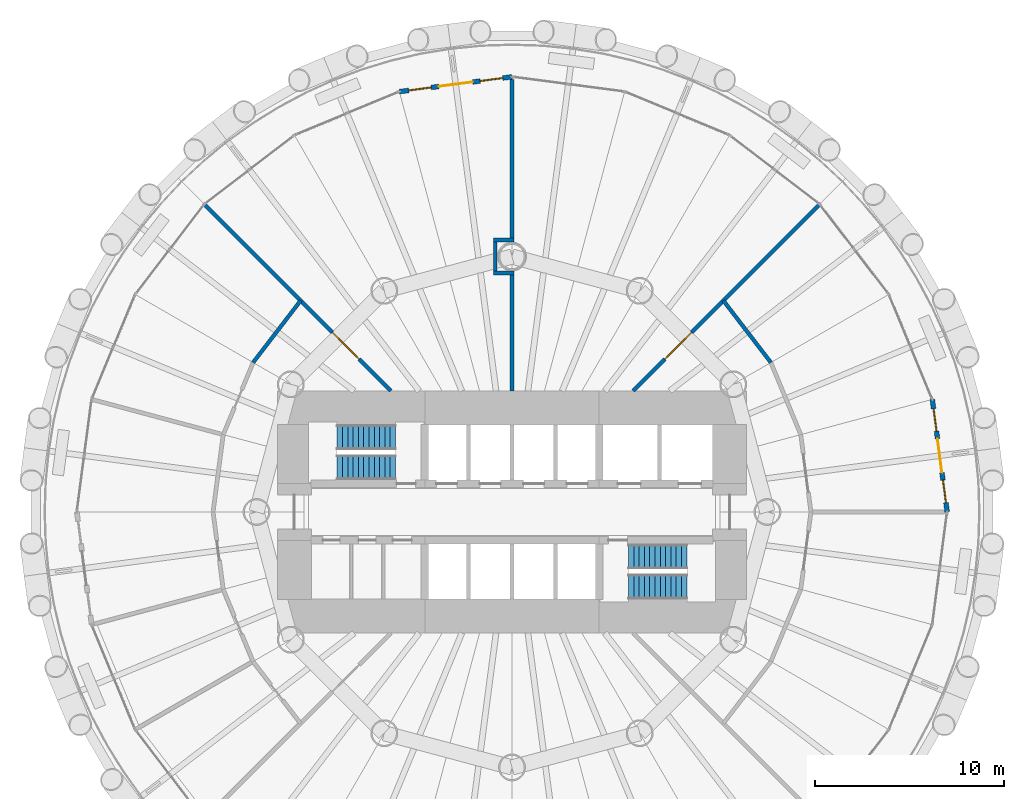
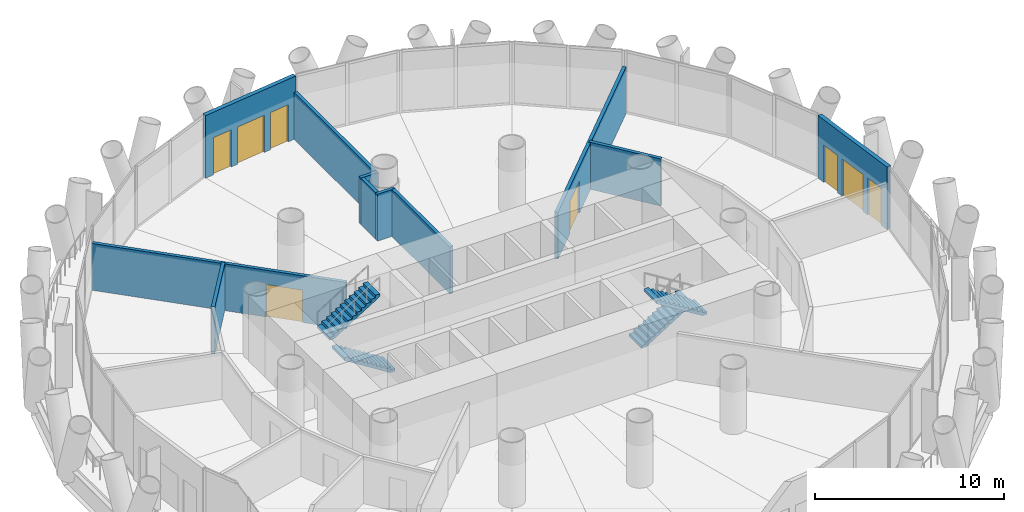
# One storey, part 10 of 14: 11 walls, 4 doors, 4 stair flights, 4 windows, 8 openings, 2 elements without a shape of their own.
"""IFC4 building model written with IfcOpenShell, lengths in metres."""

from ifc_helpers import new_model, si_unit, direction, frame, frame_2d, origin, place, context, subcontext, project, spatial, polyline, rectangle, outline, extrude, material, layer, layer_set, type_object, element, fill, aggregate, save


model = new_model("IFC4")

# Units and contexts
model_context = context("Model", 3, precision=1e-05, world=origin(), true_north=direction((0.0, 1.0)))
body_context = subcontext(model_context, "Body", "Model", "MODEL_VIEW")
ifc_project = project(units=[si_unit("LENGTHUNIT", "METRE"), si_unit("AREAUNIT", "SQUARE_METRE"), si_unit("VOLUMEUNIT", "CUBIC_METRE"), si_unit("PLANEANGLEUNIT", "RADIAN"), si_unit("MASSUNIT", "GRAM", prefix="KILO")], contexts=[model_context])

# Site, building, storey
site_placement = place(None, origin())
site = spatial("IfcSite", under=ifc_project, at=site_placement, CompositionType="ELEMENT")
building_placement = place(site_placement, origin())
building = spatial("IfcBuilding", under=site, at=building_placement, Name="Qaws Media Tower", CompositionType="ELEMENT")
storey_placement = place(building_placement, frame((0.0, 0.0, 68.0)))
storey = spatial("IfcBuildingStorey", under=building, at=storey_placement, Name="L14", CompositionType="ELEMENT", Elevation=68.0)

# Wall, openings, door, windows
ifc_material_1 = material(Name="Precast concrete, exposed finish", Category="concrete")
ifc_layer_1 = layer(ifc_material_1, 0.25)
ifc_layer_set_1 = layer_set([ifc_layer_1], Name="Balcony door wall 250")
wall_type_1 = type_object("IfcWallType", Name="Balcony door wall 250", PredefinedType="SOLIDWALL", material=ifc_layer_set_1)
wall_1_placement = place(storey_placement, frame((83.0, 50.0, 0.0), z_axis=(0.0, 0.0, 1.0), x_axis=(-0.130522880875, 0.991445297315, 0.0)))
wall_1 = element("IfcWall", 1, at=wall_1_placement, inside=storey, type_object=wall_type_1, Name="W148 EW1 balcony door wall L14-01", PredefinedType="SOLIDWALL", context=body_context, shape_type="SweptSolid", body=[
    extrude(rectangle(XDim=6.004150390625, YDim=0.25, at=frame_2d((3.001953125, 0.0))), origin(), (0.0, 0.0, 1.0), 4.0400390625),
])
opening_1_placement = place(wall_1_placement, frame((2.10205078125, 0.0, 0.0)))
opening_1 = element("IfcOpeningElement", 2, at=opening_1_placement, cuts=wall_1, Name="Opening D7", PredefinedType="OPENING", context=body_context, shape_type="SweptSolid", body=[
    extrude(rectangle(XDim=1.800048828125, YDim=2.39990234375, at=frame_2d((0.89990234375, 1.199951171875))), frame((0.0, 0.135009765625, 0.0), z_axis=(0.0, -1.0, 0.0), x_axis=(1.0, 0.0, 0.0)), (0.0, 0.0, 1.0), 0.27001953125),
])
opening_2_placement = place(wall_1_placement, frame((0.502197265625, 0.0, 0.0)))
opening_2 = element("IfcOpeningElement", 3, at=opening_2_placement, cuts=wall_1, Name="Opening W1", PredefinedType="OPENING", context=body_context, shape_type="SweptSolid", body=[
    extrude(rectangle(XDim=1.199951171875, YDim=2.39990234375, at=frame_2d((0.60009765625, 1.199951171875))), frame((0.0, 0.135009765625, 0.0), z_axis=(0.0, -1.0, 0.0), x_axis=(1.0, 0.0, 0.0)), (0.0, 0.0, 1.0), 0.27001953125),
])
opening_3_placement = place(wall_1_placement, frame((4.302001953125, 0.0, 0.0)))
opening_3 = element("IfcOpeningElement", 4, at=opening_3_placement, cuts=wall_1, Name="Opening W1", PredefinedType="OPENING", context=body_context, shape_type="SweptSolid", body=[
    extrude(rectangle(XDim=1.199951171875, YDim=2.39990234375, at=frame_2d((0.60009765625, 1.199951171875))), frame((0.0, 0.135009765625, 0.0), z_axis=(0.0, -1.0, 0.0), x_axis=(1.0, 0.0, 0.0)), (0.0, 0.0, 1.0), 0.27001953125),
])
ifc_material_2 = material(Name="Aluminium and clear glass", Category="aluminium")
door_type_1 = type_object("IfcDoorType", Name="Balcony door pair 1800", OperationType="DOUBLE_DOOR_SLIDING", PredefinedType="DOOR", material=ifc_material_2)
door_1_placement = place(opening_1_placement, origin())
door_1 = element("IfcDoor", 5, at=door_1_placement, inside=storey, type_object=door_type_1, Name="D7 balcony door L14-01 in wall W148", OperationType="DOUBLE_DOOR_SLIDING", OverallHeight=2.39990234375, OverallWidth=1.800048828125, PredefinedType="DOOR", context=body_context, shape_type="SweptSolid", body=[
    extrude(rectangle(XDim=1.800048828125, YDim=2.39990234375, at=frame_2d((0.89990234375, 1.199951171875))), frame((0.0, 0.02490234375, 0.0), z_axis=(0.0, -1.0, 0.0), x_axis=(1.0, 0.0, 0.0)), (0.0, 0.0, 1.0), 0.050048828125),
])
fill(opening_1, door_1)
ifc_material_3 = material(Name="Aluminium and clear glass", Category="aluminium")
window_type = type_object("IfcWindowType", Name="Balcony side window 1200", PartitioningType="SINGLE_PANEL", PredefinedType="WINDOW", material=ifc_material_3)
window_1_placement = place(opening_2_placement, origin())
window_1 = element("IfcWindow", 6, at=window_1_placement, inside=storey, type_object=window_type, Name="W1 balcony side light L14-01L", OverallHeight=2.39990234375, OverallWidth=1.199951171875, PartitioningType="SINGLE_PANEL", PredefinedType="WINDOW", context=body_context, shape_type="SweptSolid", body=[
    extrude(rectangle(XDim=1.199951171875, YDim=2.39990234375, at=frame_2d((0.60009765625, 1.199951171875))), frame((0.0, 0.030029296875, 0.0), z_axis=(0.0, -1.0, 0.0), x_axis=(1.0, 0.0, 0.0)), (0.0, 0.0, 1.0), 0.06005859375),
])
fill(opening_2, window_1)
window_2_placement = place(opening_3_placement, origin())
window_2 = element("IfcWindow", 7, at=window_2_placement, inside=storey, type_object=window_type, Name="W1 balcony side light L14-01R", OverallHeight=2.39990234375, OverallWidth=1.199951171875, PartitioningType="SINGLE_PANEL", PredefinedType="WINDOW", context=body_context, shape_type="SweptSolid", body=[
    extrude(rectangle(XDim=1.199951171875, YDim=2.39990234375, at=frame_2d((0.60009765625, 1.199951171875))), frame((0.0, 0.030029296875, 0.0), z_axis=(0.0, -1.0, 0.0), x_axis=(1.0, 0.0, 0.0)), (0.0, 0.0, 1.0), 0.06005859375),
])
fill(opening_3, window_2)

wall_2_placement = place(storey_placement, frame((60.0, 73.0, 0.0), z_axis=(0.0, 0.0, 1.0), x_axis=(-0.991445297315, -0.130522880875, 0.0)))
wall_2 = element("IfcWall", 8, at=wall_2_placement, inside=storey, type_object=wall_type_1, Name="W147 EW1 balcony door wall L14-07", PredefinedType="SOLIDWALL", context=body_context, shape_type="SweptSolid", body=[
    extrude(rectangle(XDim=6.004150390625, YDim=0.25, at=frame_2d((3.001953125, 0.0))), origin(), (0.0, 0.0, 1.0), 4.0400390625),
])
opening_4_placement = place(wall_2_placement, frame((2.10205078125, 0.0, 0.0)))
opening_4 = element("IfcOpeningElement", 9, at=opening_4_placement, cuts=wall_2, Name="Opening D7", PredefinedType="OPENING", context=body_context, shape_type="SweptSolid", body=[
    extrude(rectangle(XDim=1.800048828125, YDim=2.39990234375, at=frame_2d((0.89990234375, 1.199951171875))), frame((0.0, 0.135009765625, 0.0), z_axis=(0.0, -1.0, 0.0), x_axis=(1.0, 0.0, 0.0)), (0.0, 0.0, 1.0), 0.27001953125),
])
opening_5_placement = place(wall_2_placement, frame((0.502197265625, 0.0, 0.0)))
opening_5 = element("IfcOpeningElement", 10, at=opening_5_placement, cuts=wall_2, Name="Opening W1", PredefinedType="OPENING", context=body_context, shape_type="SweptSolid", body=[
    extrude(rectangle(XDim=1.199951171875, YDim=2.39990234375, at=frame_2d((0.60009765625, 1.199951171875))), frame((0.0, 0.135009765625, 0.0), z_axis=(0.0, -1.0, 0.0), x_axis=(1.0, 0.0, 0.0)), (0.0, 0.0, 1.0), 0.27001953125),
])
opening_6_placement = place(wall_2_placement, frame((4.302001953125, 0.0, 0.0)))
opening_6 = element("IfcOpeningElement", 11, at=opening_6_placement, cuts=wall_2, Name="Opening W1", PredefinedType="OPENING", context=body_context, shape_type="SweptSolid", body=[
    extrude(rectangle(XDim=1.199951171875, YDim=2.39990234375, at=frame_2d((0.60009765625, 1.199951171875))), frame((0.0, 0.135009765625, 0.0), z_axis=(0.0, -1.0, 0.0), x_axis=(1.0, 0.0, 0.0)), (0.0, 0.0, 1.0), 0.27001953125),
])
door_2_placement = place(opening_4_placement, origin())
door_2 = element("IfcDoor", 12, at=door_2_placement, inside=storey, type_object=door_type_1, Name="D7 balcony door L14-07 in wall W147", OperationType="DOUBLE_DOOR_SLIDING", OverallHeight=2.39990234375, OverallWidth=1.800048828125, PredefinedType="DOOR", context=body_context, shape_type="SweptSolid", body=[
    extrude(rectangle(XDim=1.800048828125, YDim=2.39990234375, at=frame_2d((0.89990234375, 1.199951171875))), frame((0.0, 0.02490234375, 0.0), z_axis=(0.0, -1.0, 0.0), x_axis=(1.0, 0.0, 0.0)), (0.0, 0.0, 1.0), 0.050048828125),
])
fill(opening_4, door_2)
window_3_placement = place(opening_5_placement, origin())
window_3 = element("IfcWindow", 13, at=window_3_placement, inside=storey, type_object=window_type, Name="W1 balcony side light L14-07L", OverallHeight=2.39990234375, OverallWidth=1.199951171875, PartitioningType="SINGLE_PANEL", PredefinedType="WINDOW", context=body_context, shape_type="SweptSolid", body=[
    extrude(rectangle(XDim=1.199951171875, YDim=2.39990234375, at=frame_2d((0.60009765625, 1.199951171875))), frame((0.0, 0.030029296875, 0.0), z_axis=(0.0, -1.0, 0.0), x_axis=(1.0, 0.0, 0.0)), (0.0, 0.0, 1.0), 0.06005859375),
])
fill(opening_5, window_3)
window_4_placement = place(opening_6_placement, origin())
window_4 = element("IfcWindow", 14, at=window_4_placement, inside=storey, type_object=window_type, Name="W1 balcony side light L14-07R", OverallHeight=2.39990234375, OverallWidth=1.199951171875, PartitioningType="SINGLE_PANEL", PredefinedType="WINDOW", context=body_context, shape_type="SweptSolid", body=[
    extrude(rectangle(XDim=1.199951171875, YDim=2.39990234375, at=frame_2d((0.60009765625, 1.199951171875))), frame((0.0, 0.030029296875, 0.0), z_axis=(0.0, -1.0, 0.0), x_axis=(1.0, 0.0, 0.0)), (0.0, 0.0, 1.0), 0.06005859375),
])
fill(opening_6, window_4)

# Walls
ifc_material_4 = material(Name="Gypsum board on galvanised metal studs, acoustic double stud, deflection head", Category="gypsum")
ifc_layer_2 = layer(ifc_material_4, 0.199951171875)
ifc_layer_set_2 = layer_set([ifc_layer_2], Name="Room partition 200")
wall_type_2 = type_object("IfcWallType", Name="Room partition 200", PredefinedType="PARTITIONING", material=ifc_layer_set_2)
for number, where, z_axis, x_axis, name in (
    (15, (46.31689453125, 57.89990234375, 0.0), (0.0, 0.0, 1.0), (0.608714823874, 0.793389099494, 0.0), "W947 IW3 partition L14"),
    (16, (71.17236328125, 61.17236328125, 0.0), (0.0, 0.0, 1.0), (0.608714823874, -0.793389099494, 0.0), "W953 IW3 partition L14"),
):
    element("IfcWall", number, at=place(storey_placement, frame(where, z_axis=z_axis, x_axis=x_axis)), inside=storey, type_object=wall_type_2, Name=name, PredefinedType="PARTITIONING", context=body_context, shape_type="SweptSolid", body=[
        extrude(rectangle(XDim=4.124755859375, YDim=0.199951171875, at=frame_2d((2.0625, 0.0))), origin(), (0.0, 0.0, 1.0), 3.0400390625),
    ])

# Wall, opening, door
wall_3_placement = place(storey_placement, frame((66.39990234375, 56.39990234375, 0.0), z_axis=(0.0, 0.0, 1.0), x_axis=(0.707106781187, 0.707106781187, 0.0)))
wall_3 = element("IfcWall", 17, at=wall_3_placement, inside=storey, type_object=wall_type_2, Name="W1078 IW3 partition L14", PredefinedType="PARTITIONING", context=body_context, shape_type="SweptSolid", body=[
    extrude(rectangle(XDim=13.9091796875, YDim=0.199951171875, at=frame_2d((6.95458984375, 0.0))), origin(), (0.0, 0.0, 1.0), 3.02001953125),
])
opening_7_placement = place(wall_3_placement, frame((2.37451171875, 0.0, 0.0)))
opening_7 = element("IfcOpeningElement", 18, at=opening_7_placement, cuts=wall_3, Name="Opening D6", PredefinedType="OPENING", context=body_context, shape_type="SweptSolid", body=[
    extrude(rectangle(XDim=2.0, YDim=2.10009765625, at=frame_2d((1.0, 1.050048828125))), frame((0.0, 0.10986328125, 0.0), z_axis=(0.0, -1.0, 0.0), x_axis=(1.0, 0.0, 0.0)), (0.0, 0.0, 1.0), 0.219970703125),
])
ifc_material_5 = material(Name="Steel, acoustic, fire rated", Category="steel")
door_type_2 = type_object("IfcDoorType", Name="Room door pair 2000", OperationType="DOUBLE_DOOR_DOUBLE_SWING", PredefinedType="DOOR", material=ifc_material_5)
door_3_placement = place(opening_7_placement, origin())
door_3 = element("IfcDoor", 19, at=door_3_placement, inside=storey, type_object=door_type_2, Name="D6 Digital desk door L14 in wall W1078", OperationType="DOUBLE_DOOR_DOUBLE_SWING", OverallHeight=2.10009765625, OverallWidth=2.0, PredefinedType="DOOR", context=body_context, shape_type="SweptSolid", body=[
    extrude(rectangle(XDim=2.0, YDim=2.10009765625, at=frame_2d((1.0, 1.050048828125))), frame((0.0, 0.02490234375, 0.0), z_axis=(0.0, -1.0, 0.0), x_axis=(1.0, 0.0, 0.0)), (0.0, 0.0, 1.0), 0.050048828125),
])
fill(opening_7, door_3)

# Walls
for number, where, z_axis, x_axis, name in (
    (20, (60.10009765625, 62.62890625, 0.0), (0.0, 0.0, 1.0), (-1.0, 0.0, 0.0), "W1075 IW3 partition return L14"),
    (21, (60.10009765625, 64.37109375, 0.0), (0.0, 0.0, 1.0), (-1.0, 0.0, 0.0), "W1076 IW3 partition return L14"),
):
    element("IfcWall", number, at=place(storey_placement, frame(where, z_axis=z_axis, x_axis=x_axis)), inside=storey, type_object=wall_type_2, Name=name, PredefinedType="PARTITIONING", context=body_context, shape_type="SweptSolid", body=[
        extrude(rectangle(XDim=1.0810546875, YDim=0.199951171875, at=frame_2d((0.54052734375, 0.0))), origin(), (0.0, 0.0, 1.0), 3.02001953125),
    ])
wall_4_placement = place(storey_placement, frame((59.118896484375, 62.72900390625, 0.0), z_axis=(0.0, 0.0, 1.0), x_axis=(0.0, 1.0, 0.0)))
element("IfcWall", 22, at=wall_4_placement, inside=storey, type_object=wall_type_2, Name="W1072 IW3 partition return L14", PredefinedType="PARTITIONING", context=body_context, shape_type="SweptSolid", body=[
    extrude(rectangle(XDim=1.5419921875, YDim=0.199951171875, at=frame_2d((0.77099609375, 0.0))), origin(), (0.0, 0.0, 1.0), 3.02001953125),
])
wall_5_placement = place(storey_placement, frame((60.0, 56.39990234375, 0.0), z_axis=(0.0, 0.0, 1.0), x_axis=(0.0, 1.0, 0.0)))
element("IfcWall", 23, at=wall_5_placement, inside=storey, type_object=wall_type_2, Name="W1073 IW3 partition L14", PredefinedType="PARTITIONING", context=body_context, shape_type="SweptSolid", body=[
    extrude(rectangle(XDim=6.129150390625, YDim=0.199951171875, at=frame_2d((3.064453125, 0.0))), origin(), (0.0, 0.0, 1.0), 3.0400390625),
])
wall_6_placement = place(storey_placement, frame((60.0, 64.470947265625, 0.0), z_axis=(0.0, 0.0, 1.0), x_axis=(0.0, 1.0, 0.0)))
element("IfcWall", 24, at=wall_6_placement, inside=storey, type_object=wall_type_2, Name="W1074 IW3 partition L14", PredefinedType="PARTITIONING", context=body_context, shape_type="SweptSolid", body=[
    extrude(rectangle(XDim=8.38916015625, YDim=0.199951171875, at=frame_2d((4.194580078125, 0.0))), origin(), (0.0, 0.0, 1.0), 3.0400390625),
])

# Wall, opening, door
wall_7_placement = place(storey_placement, frame((53.60009765625, 56.39990234375, 0.0), z_axis=(0.0, 0.0, 1.0), x_axis=(-0.707106781187, 0.707106781187, 0.0)))
wall_7 = element("IfcWall", 25, at=wall_7_placement, inside=storey, type_object=wall_type_2, Name="W1071 IW3 partition L14", PredefinedType="PARTITIONING", context=body_context, shape_type="SweptSolid", body=[
    extrude(rectangle(XDim=13.9091796875, YDim=0.199951171875, at=frame_2d((6.95458984375, 0.0))), origin(), (0.0, 0.0, 1.0), 3.02001953125),
])
opening_8_placement = place(wall_7_placement, frame((2.37451171875, 0.0, 0.0)))
opening_8 = element("IfcOpeningElement", 26, at=opening_8_placement, cuts=wall_7, Name="Opening D6", PredefinedType="OPENING", context=body_context, shape_type="SweptSolid", body=[
    extrude(rectangle(XDim=2.0, YDim=2.10009765625, at=frame_2d((1.0, 1.050048828125))), frame((0.0, 0.10986328125, 0.0), z_axis=(0.0, -1.0, 0.0), x_axis=(1.0, 0.0, 0.0)), (0.0, 0.0, 1.0), 0.219970703125),
])
door_4_placement = place(opening_8_placement, origin())
door_4 = element("IfcDoor", 27, at=door_4_placement, inside=storey, type_object=door_type_2, Name="D6 Social media desk door L14 in wall W1071", OperationType="DOUBLE_DOOR_DOUBLE_SWING", OverallHeight=2.10009765625, OverallWidth=2.0, PredefinedType="DOOR", context=body_context, shape_type="SweptSolid", body=[
    extrude(rectangle(XDim=2.0, YDim=2.10009765625, at=frame_2d((1.0, 1.050048828125))), frame((0.0, 0.02490234375, 0.0), z_axis=(0.0, -1.0, 0.0), x_axis=(1.0, 0.0, 0.0)), (0.0, 0.0, 1.0), 0.050048828125),
])
fill(opening_8, door_4)

# Stair, stair flights
ifc_material_6 = material(Name="Concrete C40/50", Category="concrete")
stair_type = type_object("IfcStairType", Name="Exit stair", PredefinedType="HALF_TURN_STAIR", material=ifc_material_6)
stair_1_placement = place(storey_placement, origin())
stair_1 = element("IfcStair", 28, at=stair_1_placement, inside=storey, type_object=stair_type, Name="S1 exit stair L14", PredefinedType="HALF_TURN_STAIR")
ifc_material_7 = material(Name="Concrete C40/50", Category="concrete")
stair_flight_type = type_object("IfcStairFlightType", Name="Stair flight 1310", PredefinedType="STRAIGHT", material=ifc_material_7)
stair_flight_1_placement = place(storey_placement, frame((53.840087890625, 52.35498046875, 0.0), z_axis=(0.0, 0.0, 1.0), x_axis=(-1.0, 0.0, 0.0)))
stair_flight_1 = element("IfcStairFlight", 29, at=stair_flight_1_placement, type_object=stair_flight_type, Name="S1 flight 1", NumberOfRisers=12, NumberOfTreads=11, PredefinedType="STRAIGHT", RiserHeight=0.175, TreadLength=0.28, context=body_context, shape_type="SweptSolid", body=[
    extrude(outline(polyline([(0.0, 0.0), (0.0, 0.175048828125), (0.280029296875, 0.175048828125), (0.280029296875, 0.35009765625), (0.56005859375, 0.35009765625), (0.56005859375, 0.52490234375), (0.840087890625, 0.52490234375), (0.840087890625, 0.699951171875), (1.1201171875, 0.699951171875), (1.1201171875, 0.875), (1.39990234375, 0.875), (1.39990234375, 1.050048828125), (1.679931640625, 1.050048828125), (1.679931640625, 1.22509765625), (1.9599609375, 1.22509765625), (1.9599609375, 1.39990234375), (2.239990234375, 1.39990234375), (2.239990234375, 1.574951171875), (2.52001953125, 1.574951171875), (2.52001953125, 1.75), (2.800048828125, 1.75), (2.800048828125, 1.925048828125), (3.080078125, 1.925048828125), (3.080078125, 2.10009765625), (3.080078125, 1.748291015625), (0.28271484375, 0.0), (0.0, 0.0)])), frame((0.0, 0.655029296875, 0.0), z_axis=(0.0, -1.0, 0.0), x_axis=(1.0, 0.0, 0.0)), (0.0, 0.0, 1.0), 1.31005859375),
])
stair_flight_2_placement = place(storey_placement, frame((50.760009765625, 53.945068359375, 2.10009765625), z_axis=(0.0, 0.0, 1.0), x_axis=(1.0, 0.0, 0.0)))
stair_flight_2 = element("IfcStairFlight", 30, at=stair_flight_2_placement, type_object=stair_flight_type, Name="S1 flight 2", NumberOfRisers=12, NumberOfTreads=11, PredefinedType="STRAIGHT", RiserHeight=0.175, TreadLength=0.28, context=body_context, shape_type="SweptSolid", body=[
    extrude(outline(polyline([(0.0, 0.0), (0.0, 0.175048828125), (0.280029296875, 0.175048828125), (0.280029296875, 0.35009765625), (0.56005859375, 0.35009765625), (0.56005859375, 0.52490234375), (0.840087890625, 0.52490234375), (0.840087890625, 0.699951171875), (1.1201171875, 0.699951171875), (1.1201171875, 0.875), (1.39990234375, 0.875), (1.39990234375, 1.050048828125), (1.679931640625, 1.050048828125), (1.679931640625, 1.22509765625), (1.9599609375, 1.22509765625), (1.9599609375, 1.39990234375), (2.239990234375, 1.39990234375), (2.239990234375, 1.574951171875), (2.52001953125, 1.574951171875), (2.52001953125, 1.75), (2.800048828125, 1.75), (2.800048828125, 1.925048828125), (3.080078125, 1.925048828125), (3.080078125, 2.10009765625), (3.080078125, 1.748291015625), (0.28271484375, 0.0), (0.0, 0.0)])), frame((0.0, 0.655029296875, 0.0), z_axis=(0.0, -1.0, 0.0), x_axis=(1.0, 0.0, 0.0)), (0.0, 0.0, 1.0), 1.31005859375),
])
aggregate(stair_1, [stair_flight_1, stair_flight_2])

stair_2_placement = place(storey_placement, origin())
stair_2 = element("IfcStair", 31, at=stair_2_placement, inside=storey, type_object=stair_type, Name="S2 exit stair L14", PredefinedType="HALF_TURN_STAIR")
stair_flight_3_placement = place(storey_placement, frame((66.159912109375, 47.64501953125, 0.0), z_axis=(0.0, 0.0, 1.0), x_axis=(1.0, 0.0, 0.0)))
stair_flight_3 = element("IfcStairFlight", 32, at=stair_flight_3_placement, type_object=stair_flight_type, Name="S2 flight 1", NumberOfRisers=12, NumberOfTreads=11, PredefinedType="STRAIGHT", RiserHeight=0.175, TreadLength=0.28, context=body_context, shape_type="SweptSolid", body=[
    extrude(outline(polyline([(0.0, 0.0), (0.0, 0.175048828125), (0.280029296875, 0.175048828125), (0.280029296875, 0.35009765625), (0.56005859375, 0.35009765625), (0.56005859375, 0.52490234375), (0.840087890625, 0.52490234375), (0.840087890625, 0.699951171875), (1.1201171875, 0.699951171875), (1.1201171875, 0.875), (1.39990234375, 0.875), (1.39990234375, 1.050048828125), (1.679931640625, 1.050048828125), (1.679931640625, 1.22509765625), (1.9599609375, 1.22509765625), (1.9599609375, 1.39990234375), (2.239990234375, 1.39990234375), (2.239990234375, 1.574951171875), (2.52001953125, 1.574951171875), (2.52001953125, 1.75), (2.800048828125, 1.75), (2.800048828125, 1.925048828125), (3.080078125, 1.925048828125), (3.080078125, 2.10009765625), (3.080078125, 1.748291015625), (0.28271484375, 0.0), (0.0, 0.0)])), frame((0.0, 0.655029296875, 0.0), z_axis=(0.0, -1.0, 0.0), x_axis=(1.0, 0.0, 0.0)), (0.0, 0.0, 1.0), 1.31005859375),
])
stair_flight_4_placement = place(storey_placement, frame((69.239990234375, 46.054931640625, 2.10009765625), z_axis=(0.0, 0.0, 1.0), x_axis=(-1.0, 0.0, 0.0)))
stair_flight_4 = element("IfcStairFlight", 33, at=stair_flight_4_placement, type_object=stair_flight_type, Name="S2 flight 2", NumberOfRisers=12, NumberOfTreads=11, PredefinedType="STRAIGHT", RiserHeight=0.175, TreadLength=0.28, context=body_context, shape_type="SweptSolid", body=[
    extrude(outline(polyline([(0.0, 0.0), (0.0, 0.175048828125), (0.280029296875, 0.175048828125), (0.280029296875, 0.35009765625), (0.56005859375, 0.35009765625), (0.56005859375, 0.52490234375), (0.840087890625, 0.52490234375), (0.840087890625, 0.699951171875), (1.1201171875, 0.699951171875), (1.1201171875, 0.875), (1.39990234375, 0.875), (1.39990234375, 1.050048828125), (1.679931640625, 1.050048828125), (1.679931640625, 1.22509765625), (1.9599609375, 1.22509765625), (1.9599609375, 1.39990234375), (2.239990234375, 1.39990234375), (2.239990234375, 1.574951171875), (2.52001953125, 1.574951171875), (2.52001953125, 1.75), (2.800048828125, 1.75), (2.800048828125, 1.925048828125), (3.080078125, 1.925048828125), (3.080078125, 2.10009765625), (3.080078125, 1.748291015625), (0.28271484375, 0.0), (0.0, 0.0)])), frame((0.0, 0.655029296875, 0.0), z_axis=(0.0, -1.0, 0.0), x_axis=(1.0, 0.0, 0.0)), (0.0, 0.0, 1.0), 1.31005859375),
])
aggregate(stair_2, [stair_flight_3, stair_flight_4])

save(model, "model.ifc")
